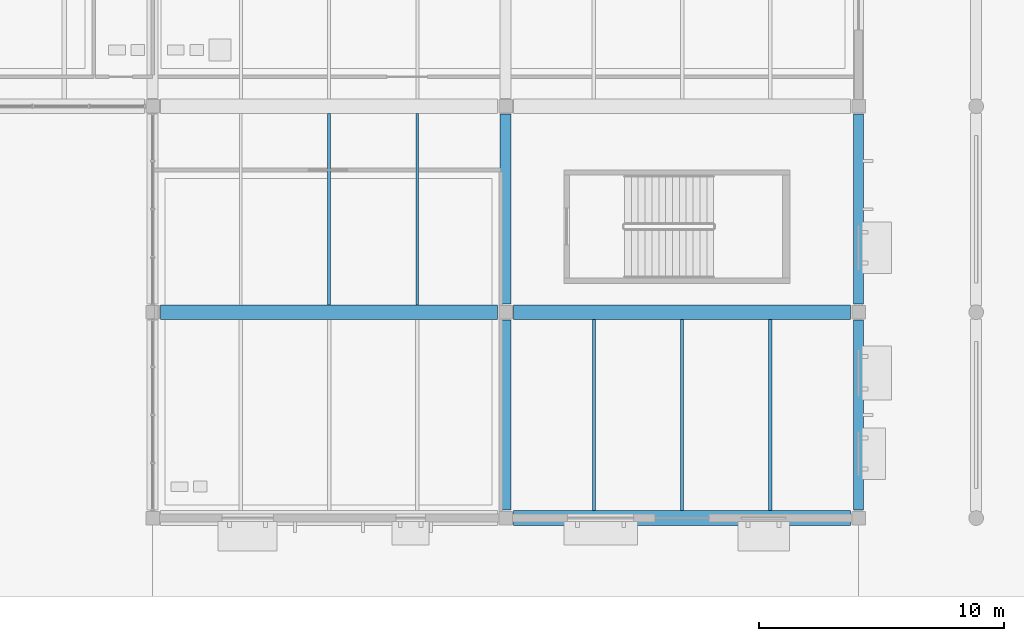
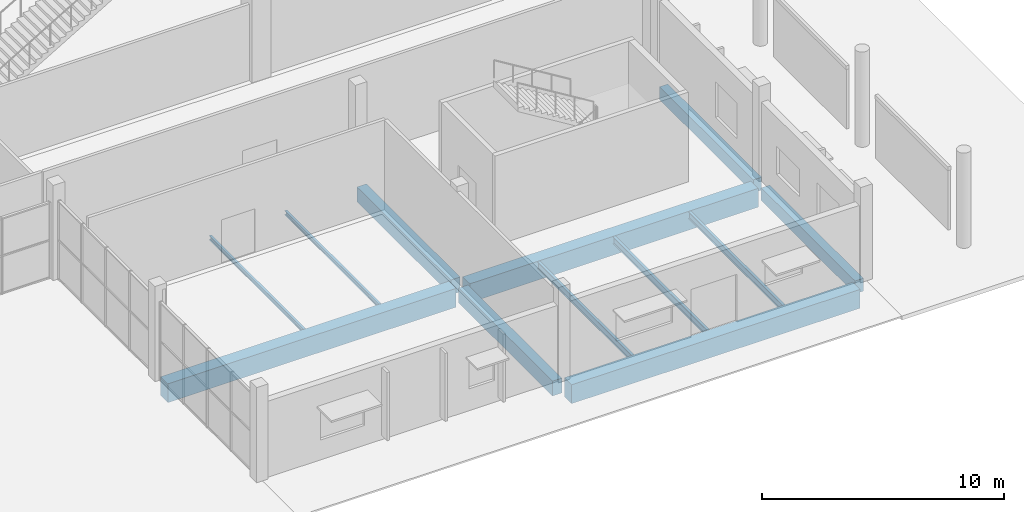
# One storey, part 31 of 130: 12 beams.
"""IFC4 building model written with IfcOpenShell, lengths in metres."""

from ifc_helpers import new_model, si_unit, direction, frame, origin, origin_2d, place, context, subcontext, project, spatial, rectangle, i_section, extrude, material, material_profile, profile_set, type_object, element, save


model = new_model("IFC4")

# Units and contexts
model_context = context("Model", 3, precision=1e-05, world=origin(), true_north=direction((0.0, 1.0)))
body_context = subcontext(model_context, "Body", "Model", "MODEL_VIEW")
ifc_project = project(units=[si_unit("LENGTHUNIT", "METRE"), si_unit("AREAUNIT", "SQUARE_METRE"), si_unit("VOLUMEUNIT", "CUBIC_METRE"), si_unit("PLANEANGLEUNIT", "RADIAN"), si_unit("MASSUNIT", "GRAM", prefix="KILO"), si_unit("THERMODYNAMICTEMPERATUREUNIT", "KELVIN")], contexts=[model_context])

# Site, building, storey
site_placement = place(None, origin())
site = spatial("IfcSite", under=ifc_project, at=site_placement, CompositionType="ELEMENT")
building_placement = place(site_placement, origin())
building = spatial("IfcBuilding", under=site, at=building_placement, Name="Nduvali Passage Aquatics Centre", CompositionType="ELEMENT")
storey_placement = place(building_placement, origin())
storey = spatial("IfcBuildingStorey", under=building, at=storey_placement, Name="L00", CompositionType="ELEMENT", Elevation=0.0)

# Beams
ifc_material_1 = material(Name="Concrete C40/50", Category="concrete")
ifc_material_profile_1 = material_profile(ifc_material_1, rectangle(XDim=0.449951171875, YDim=0.75, at=origin_2d()), Name="RC 450x750")
ifc_profile_set_1 = profile_set([ifc_material_profile_1], Name="Concrete C40/50")
beam_type_1 = type_object("IfcBeamType", Name="STR-BM-RC4575", PredefinedType="BEAM", material=ifc_profile_set_1)
for number, where, z_axis, x_axis, name in (
    (1, (111.60009765625, 0.324951171875, -0.675048828125), (0.0, 1.0, 0.0), (-1.0, 0.0, 0.0), "L00 Primary Y-Girder B3-0178"),
    (2, (111.60009765625, 8.72509765625, -0.675048828125), (0.0, 1.0, 0.0), (-1.0, 0.0, 0.0), "L00 Primary Y-Girder B3-0179"),
):
    element("IfcBeam", number, at=place(storey_placement, frame(where, z_axis=z_axis, x_axis=x_axis)), inside=storey, type_object=beam_type_1, Name=name, PredefinedType="BEAM", context=body_context, shape_type="SweptSolid", body=[
        extrude(rectangle(XDim=0.449951171875, YDim=0.75, at=origin_2d()), origin(), (0.0, 0.0, 1.0), 7.75),
    ])
ifc_material_profile_2 = material_profile(ifc_material_1, rectangle(XDim=0.60009765625, YDim=0.949951171875, at=origin_2d()), Name="RC 600x950")
ifc_profile_set_2 = profile_set([ifc_material_profile_2], Name="Concrete C40/50")
beam_type_2 = type_object("IfcBeamType", Name="STR-BM-RC6095", PredefinedType="BEAM", material=ifc_profile_set_2)
for number, where, z_axis, x_axis, name in (
    (3, (97.52490234375, 8.39990234375, -0.77490234375), (1.0, 0.0, 0.0), (0.0, 1.0, 0.0), "L00 Primary X-Girder B1-0007"),
    (4, (111.925048828125, 8.39990234375, -0.77490234375), (1.0, 0.0, 0.0), (0.0, 1.0, 0.0), "L00 Primary X-Girder B1-0008"),
):
    element("IfcBeam", number, at=place(storey_placement, frame(where, z_axis=z_axis, x_axis=x_axis)), inside=storey, type_object=beam_type_2, Name=name, PredefinedType="BEAM", context=body_context, shape_type="SweptSolid", body=[
        extrude(rectangle(XDim=0.60009765625, YDim=0.949951171875, at=origin_2d()), origin(), (0.0, 0.0, 1.0), 13.75),
    ])
ifc_material_profile_3 = material_profile(ifc_material_1, rectangle(XDim=0.60009765625, YDim=0.949951171875, at=origin_2d()), Name="RC 600x950")
ifc_profile_set_3 = profile_set([ifc_material_profile_3], Name="Concrete C40/50")
beam_type_3 = type_object("IfcBeamType", Name="STR-BM-RC6095-EXT", PredefinedType="BEAM", material=ifc_profile_set_3)
beam_placement = place(storey_placement, frame((111.925048828125, 0.0, -0.77490234375), z_axis=(1.0, 0.0, 0.0), x_axis=(0.0, 1.0, 0.0)))
element("IfcBeam", 5, at=beam_placement, inside=storey, type_object=beam_type_3, Name="L00 Primary X-Girder B1E-0004", PredefinedType="BEAM", context=body_context, shape_type="SweptSolid", body=[
    extrude(rectangle(XDim=0.60009765625, YDim=0.949951171875, at=origin_2d()), origin(), (0.0, 0.0, 1.0), 13.75),
])
ifc_material_2 = material(Name="Steel S355", Category="steel")
ifc_material_profile_4 = material_profile(ifc_material_2, i_section(OverallWidth=0.110107421875, OverallDepth=0.219970703125, WebThickness=0.005859375, FlangeThickness=0.00927734375, FilletRadius=0.011962890625, at=origin_2d()), Name="IPE 220")
ifc_profile_set_4 = profile_set([ifc_material_profile_4], Name="Steel S355")
beam_type_4 = type_object("IfcBeamType", Name="STR-JST-IPE220", PredefinedType="JOIST", material=ifc_profile_set_4)
for number, where, z_axis, x_axis, name in (
    (6, (104.39990234375, 8.699951171875, -0.4140625), (0.0, 1.0, 0.0), (-1.0, 0.0, 0.0), "L00 Secondary Joist J9-0271"),
    (7, (108.0, 8.699951171875, -0.4140625), (0.0, 1.0, 0.0), (-1.0, 0.0, 0.0), "L00 Secondary Joist J9-0272"),
):
    element("IfcBeam", number, at=place(storey_placement, frame(where, z_axis=z_axis, x_axis=x_axis)), inside=storey, type_object=beam_type_4, Name=name, PredefinedType="JOIST", context=body_context, shape_type="SweptSolid", body=[
        extrude(i_section(OverallWidth=0.110107421875, OverallDepth=0.219970703125, WebThickness=0.005859375, FlangeThickness=0.00927734375, FilletRadius=0.011962890625, at=origin_2d()), origin(), (0.0, 0.0, 1.0), 7.800048828125),
    ])
ifc_material_profile_5 = material_profile(ifc_material_2, i_section(OverallWidth=0.1259765625, OverallDepth=0.353515625, WebThickness=0.006591796875, FlangeThickness=0.0107421875, FilletRadius=0.01025390625, at=origin_2d()), Name="UKB 356x127x39")
ifc_profile_set_5 = profile_set([ifc_material_profile_5], Name="Steel S355")
beam_type_5 = type_object("IfcBeamType", Name="STR-JST-UKB356L", PredefinedType="JOIST", material=ifc_profile_set_5)
for number, where, z_axis, x_axis, name in (
    (8, (115.199951171875, 0.300048828125, -0.480712890625), (0.0, 1.0, 0.0), (-1.0, 0.0, 0.0), "L00 Secondary Joist J2A-0264"),
    (9, (118.800048828125, 0.300048828125, -0.480712890625), (0.0, 1.0, 0.0), (-1.0, 0.0, 0.0), "L00 Secondary Joist J2A-0265"),
    (10, (122.39990234375, 0.300048828125, -0.480712890625), (0.0, 1.0, 0.0), (-1.0, 0.0, 0.0), "L00 Secondary Joist J2A-0266"),
):
    element("IfcBeam", number, at=place(storey_placement, frame(where, z_axis=z_axis, x_axis=x_axis)), inside=storey, type_object=beam_type_5, Name=name, PredefinedType="JOIST", context=body_context, shape_type="SweptSolid", body=[
        extrude(i_section(OverallWidth=0.1259765625, OverallDepth=0.353515625, WebThickness=0.006591796875, FlangeThickness=0.0107421875, FilletRadius=0.01025390625, at=origin_2d()), origin(), (0.0, 0.0, 1.0), 7.800048828125),
    ])
ifc_material_profile_6 = material_profile(ifc_material_1, rectangle(XDim=0.39990234375, YDim=0.64990234375, at=origin_2d()), Name="RC 400x650")
ifc_profile_set_6 = profile_set([ifc_material_profile_6], Name="Concrete C40/50")
beam_type_6 = type_object("IfcBeamType", Name="STR-SPN-RC4065-EXT", PredefinedType="SPANDREL", material=ifc_profile_set_6)
for number, where, z_axis, x_axis, name in (
    (11, (126.0, 0.324951171875, -0.625), (0.0, 1.0, 0.0), (-1.0, 0.0, 0.0), "L00 Primary Y-Girder SP1E-0187"),
    (12, (126.0, 8.72509765625, -0.625), (0.0, 1.0, 0.0), (-1.0, 0.0, 0.0), "L00 Primary Y-Girder SP1E-0188"),
):
    element("IfcBeam", number, at=place(storey_placement, frame(where, z_axis=z_axis, x_axis=x_axis)), inside=storey, type_object=beam_type_6, Name=name, PredefinedType="SPANDREL", context=body_context, shape_type="SweptSolid", body=[
        extrude(rectangle(XDim=0.39990234375, YDim=0.64990234375, at=origin_2d()), origin(), (0.0, 0.0, 1.0), 7.75),
    ])

save(model, "model.ifc")
